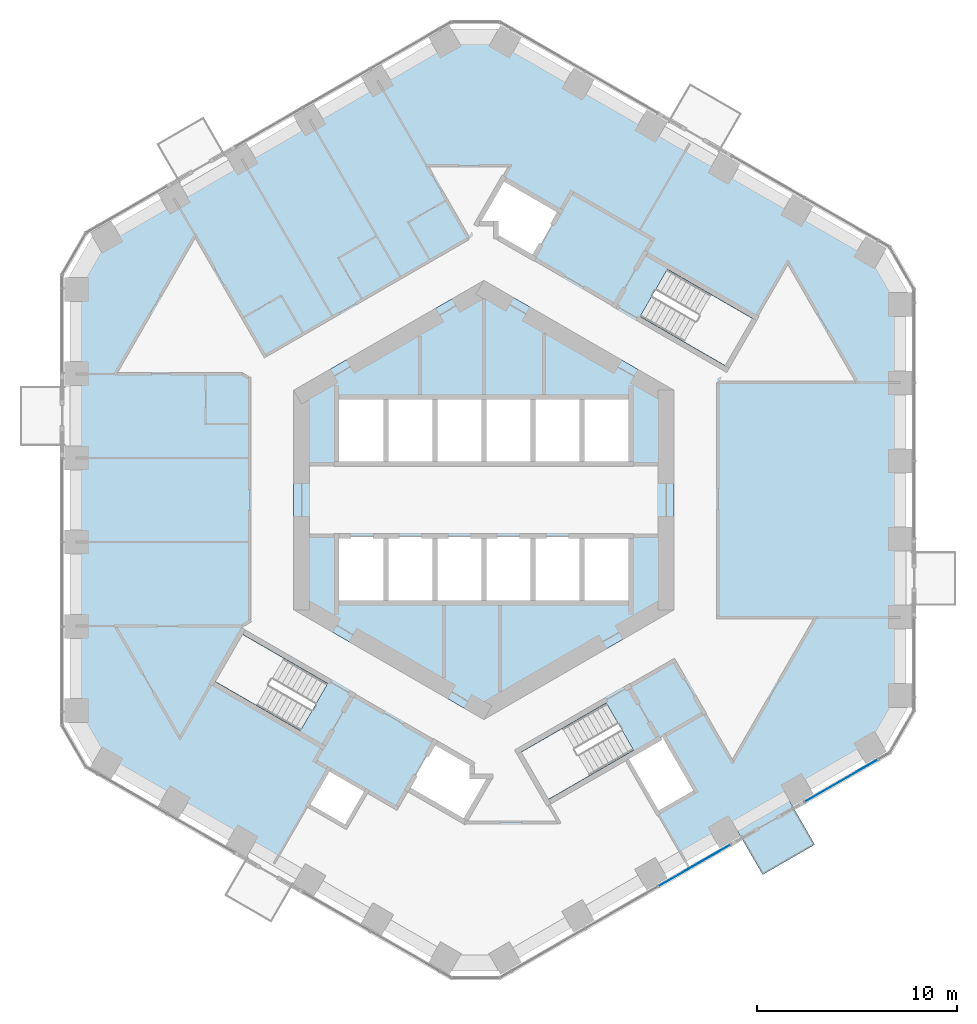
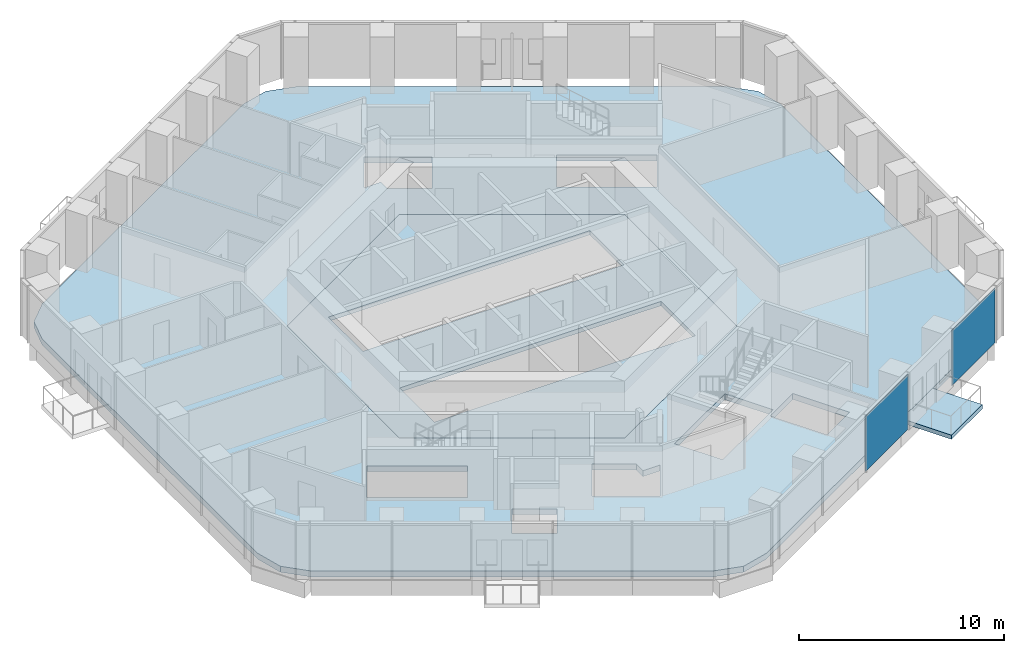
# One storey, part 10 of 20: 3 slabs, 2 plates, 2 elements without a shape of their own.
"""IFC4 building model written with IfcOpenShell, lengths in metres."""

from ifc_helpers import new_model, si_unit, direction, frame, origin, origin_2d, place, context, subcontext, project, spatial, polyline, rectangle, outline, extrude, material, layer, layer_set, type_object, element, aggregate, save


model = new_model("IFC4")

# Units and contexts
model_context = context("Model", 3, precision=1e-05, world=origin(), true_north=direction((0.0, 1.0)))
body_context = subcontext(model_context, "Body", "Model", "MODEL_VIEW")
ifc_project = project(units=[si_unit("LENGTHUNIT", "METRE"), si_unit("AREAUNIT", "SQUARE_METRE"), si_unit("VOLUMEUNIT", "CUBIC_METRE"), si_unit("PLANEANGLEUNIT", "RADIAN"), si_unit("MASSUNIT", "GRAM", prefix="KILO")], contexts=[model_context])

# Site, building, storey
site_placement = place(None, origin())
site = spatial("IfcSite", under=ifc_project, at=site_placement, CompositionType="ELEMENT")
building_placement = place(site_placement, origin())
building = spatial("IfcBuilding", under=site, at=building_placement, Name="Ayvan Gate Tower", CompositionType="ELEMENT")
storey_placement = place(building_placement, frame((0.0, 0.0, 49.300048828125)))
storey = spatial("IfcBuildingStorey", under=building, at=storey_placement, Name="L12", CompositionType="ELEMENT", Elevation=49.300048828125)

# Slabs
ifc_material_1 = material(Name="Concrete C40/50", Category="concrete")
ifc_layer_1 = layer(ifc_material_1, 0.25)
ifc_layer_set_1 = layer_set([ifc_layer_1], Name="Concrete C40/50")
slab_type_1 = type_object("IfcSlabType", Name="Balcony slab 250", PredefinedType="FLOOR", material=ifc_layer_set_1)
slab_1_placement = place(storey_placement, frame((0.0, 0.0, -0.25)))
element("IfcSlab", 1, at=slab_1_placement, inside=storey, type_object=slab_type_1, Name="Balcony slab BAL-L12-5", PredefinedType="FLOOR", context=body_context, shape_type="SweptSolid", body=[
    extrude(outline(polyline([(12.524169921875, -16.289306640625), (15.125, -14.787841796875), (16.52490234375, -17.212890625), (13.92431640625, -18.71435546875), (12.524169921875, -16.289306640625)])), origin(), (0.0, 0.0, 1.0), 0.25),
])
ifc_layer_2 = layer(ifc_material_1, 0.35009765625)
ifc_layer_set_2 = layer_set([ifc_layer_2], Name="Concrete C40/50")
slab_type_2 = type_object("IfcSlabType", Name="Post-tensioned flat slab 350", PredefinedType="FLOOR", material=ifc_layer_set_2)
slab_2_placement = place(storey_placement, frame((0.0, 0.0, -0.35009765625)))
element("IfcSlab", 2, at=slab_2_placement, inside=storey, type_object=slab_type_2, Name="SL-L12", PredefinedType="FLOOR", context=body_context, shape_type="SweptSolid", body=[
    extrude(outline(polyline([(-1.91552734375, -22.89404296875), (-18.869140625, -13.10595703125), (-19.96728515625, -12.0078125), (-20.369140625, -10.5078125), (-20.369140625, 10.5078125), (-19.96728515625, 12.0078125), (-18.869140625, 13.10595703125), (-1.91552734375, 22.89404296875), (-0.41552734375, 23.296142578125), (1.08447265625, 22.89404296875), (19.28466796875, 12.38623046875), (20.382568359375, 11.288330078125), (20.78466796875, 9.788330078125), (20.78466796875, -9.788330078125), (20.382568359375, -11.288330078125), (19.28466796875, -12.38623046875), (1.08447265625, -22.89404296875), (-0.41552734375, -23.296142578125), (-1.91552734375, -22.89404296875)]), holes=[polyline([(9.1611328125, 11.517578125), (7.80615234375, 9.170654296875), (12.049560546875, 6.720458984375), (13.404541015625, 9.0673828125), (9.1611328125, 11.517578125)]), polyline([(10.595458984375, -14.5517578125), (8.995361328125, -11.780517578125), (8.735595703125, -11.9306640625), (7.090087890625, -12.880615234375), (8.690185546875, -15.65185546875), (10.595458984375, -14.5517578125)]), polyline([(-9.5, 5.48486328125), (-9.5, -5.48486328125), (0.0, -10.9697265625), (9.5, -5.48486328125), (9.5, 5.48486328125), (0.0, 10.9697265625), (-9.5, 5.48486328125)]), polyline([(7.472412109375, -12.492431640625), (6.117431640625, -10.1455078125), (1.873779296875, -12.595458984375), (3.228759765625, -14.9423828125), (7.472412109375, -12.492431640625)]), polyline([(3.822509765625, 14.420654296875), (0.964599609375, 16.07080078125), (-0.340576171875, 13.81005859375), (0.60009765625, 13.81005859375), (0.60009765625, 13.16357421875), (2.472412109375, 12.08251953125), (3.822509765625, 14.420654296875)]), polyline([(-0.60009765625, -13.81005859375), (-0.60009765625, -13.16357421875), (-2.472412109375, -12.08251953125), (-3.822509765625, -14.420654296875), (-0.964599609375, -16.07080078125), (0.340576171875, -13.81005859375), (-0.60009765625, -13.81005859375)]), polyline([(-8.800048828125, -15.241943359375), (-6.894775390625, -16.342041015625), (-5.8447265625, -14.5234375), (-7.75, -13.42333984375), (-8.800048828125, -15.241943359375)]), polyline([(-12.049560546875, -6.720458984375), (-13.404541015625, -9.0673828125), (-9.1611328125, -11.517578125), (-7.80615234375, -9.170654296875), (-12.049560546875, -6.720458984375)])]), origin(), (0.0, 0.0, 1.0), 0.35009765625),
])
ifc_layer_3 = layer(ifc_material_1, 0.25)
ifc_layer_set_3 = layer_set([ifc_layer_3], Name="Concrete C40/50")
slab_type_3 = type_object("IfcSlabType", Name="SL-CORE-250", PredefinedType="FLOOR", material=ifc_layer_set_3)
slab_3_placement = place(storey_placement, frame((0.0, 0.0, -0.25)))
element("IfcSlab", 3, at=slab_3_placement, inside=storey, type_object=slab_type_3, Name="CS-L12", PredefinedType="FLOOR", context=body_context, shape_type="SweptSolid", body=[
    extrude(outline(polyline([(9.5, -5.48486328125), (0.0, -10.9697265625), (-9.5, -5.48486328125), (-9.5, 5.48486328125), (0.0, 10.9697265625), (9.5, 5.48486328125), (9.5, -5.48486328125)]), holes=[polyline([(-7.35009765625, -1.800048828125), (-7.35009765625, -5.14990234375), (7.35009765625, -5.14990234375), (7.35009765625, -1.800048828125), (-7.35009765625, -1.800048828125)]), polyline([(-7.35009765625, 5.14990234375), (-7.35009765625, 1.800048828125), (7.35009765625, 1.800048828125), (7.35009765625, 5.14990234375), (-7.35009765625, 5.14990234375)])]), origin(), (0.0, 0.0, 1.0), 0.25),
])

# Curtain wall, plate
ifc_material_2 = material(Name="Bronze anodised aluminium", Category="aluminium")
ifc_layer_4 = layer(ifc_material_2, 0.199951171875)
ifc_layer_set_4 = layer_set([ifc_layer_4], Name="Bronze anodised aluminium")
curtain_wall_type = type_object("IfcCurtainWallType", Name="Stick curtain wall CW-1", PredefinedType="NOTDEFINED", material=ifc_layer_set_4)
curtain_wall_1_placement = place(storey_placement, origin())
curtain_wall_1 = element("IfcCurtainWall", 4, at=curtain_wall_1_placement, inside=storey, type_object=curtain_wall_type, Name="Stick curtain wall CW-1 L12", PredefinedType="NOTDEFINED")
ifc_material_3 = material(Name="Clear low-iron laminated glass", Category="glass")
ifc_layer_5 = layer(ifc_material_3, 0.028076171875)
ifc_layer_set_5 = layer_set([ifc_layer_5], Name="Clear low-iron laminated glass")
plate_type = type_object("IfcPlateType", Name="Stick curtain wall CW-1 glass panel", PredefinedType="CURTAIN_PANEL", material=ifc_layer_set_5)
plate_1_placement = place(storey_placement, frame((10.53466796875, -18.246337890625, 0.0), z_axis=(0.0, 0.0, 1.0), x_axis=(0.866025403784, 0.5, 0.0)))
plate_1 = element("IfcPlate", 5, at=plate_1_placement, type_object=plate_type, Name="CW-1 glass panel 3", PredefinedType="CURTAIN_PANEL", context=body_context, shape_type="SweptSolid", body=[
    extrude(rectangle(XDim=4.14990234375, YDim=0.028076171875, at=origin_2d()), origin(), (0.0, 0.0, 1.0), 3.280029296875),
])
aggregate(curtain_wall_1, [plate_1])

curtain_wall_2_placement = place(storey_placement, origin())
curtain_wall_2 = element("IfcCurtainWall", 6, at=curtain_wall_2_placement, inside=storey, type_object=curtain_wall_type, Name="Stick curtain wall CW-1 L12", PredefinedType="NOTDEFINED")
plate_2_placement = place(storey_placement, frame((17.85888671875, -14.017578125, 0.0), z_axis=(0.0, 0.0, 1.0), x_axis=(0.866025403784, 0.5, 0.0)))
plate_2 = element("IfcPlate", 7, at=plate_2_placement, type_object=plate_type, Name="CW-1 glass panel 1", PredefinedType="CURTAIN_PANEL", context=body_context, shape_type="SweptSolid", body=[
    extrude(rectangle(XDim=4.224853515625, YDim=0.028076171875, at=origin_2d()), origin(), (0.0, 0.0, 1.0), 3.280029296875),
])
aggregate(curtain_wall_2, [plate_2])

save(model, "model.ifc")
